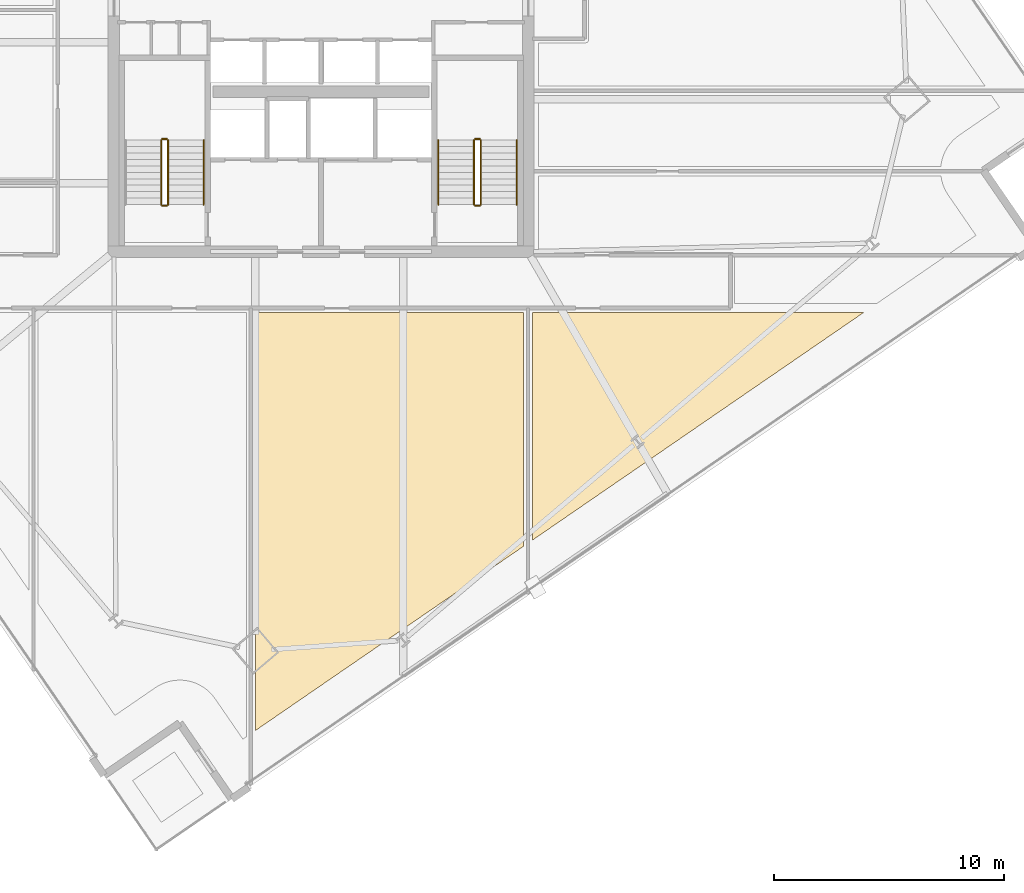
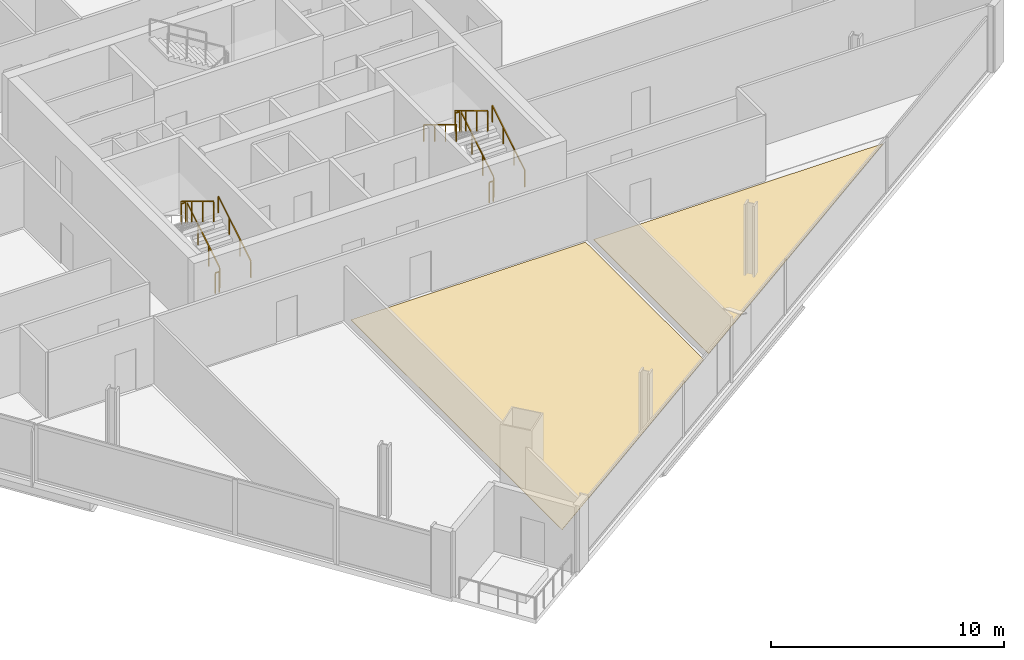
# One storey, part 26 of 29: 11 railings, 2 coverings.
"""IFC4 building model written with IfcOpenShell, lengths in metres."""

import ifcopenshell
import ifcopenshell.guid

model = None  # the IFC model being written
_history = None  # IfcOwnerHistory: only IFC2X3 demands one
_inside = {}  # id of a spatial element -> (the spatial element, [elements in it])
_under = {}  # id of a project, library or spatial element -> (it, [spatial elements below it])
_declared = {}  # id of a project -> (the project, [libraries it declares])
_typed = {}  # id of a type object -> (the type object, [elements of that type])
_made_of = {}  # id of a material, layer set ... -> (it, [elements and type objects made of it])


def new_model(schema):
    """Start an empty IFC model of exactly this schema.

    Asked for "IFC4X3", IfcOpenShell would pick the latest addendum, in which some entities
    have other attributes; the version numbers below select the first issue.
    IFC2X3 requires an IfcOwnerHistory on every rooted entity: one is made here for all.
    """
    global model, _history
    if schema == "IFC4X3":
        model = ifcopenshell.file(schema_version=(4, 3, 0, 0))
    else:
        model = ifcopenshell.file(schema=schema)
    _inside.clear()
    _under.clear()
    _declared.clear()
    _typed.clear()
    _made_of.clear()
    _history = None
    if model.schema == "IFC2X3":
        org = make("IfcOrganization", Name="unknown")
        user = make(
            "IfcPersonAndOrganization",
            ThePerson=make("IfcPerson", FamilyName="unknown"),
            TheOrganization=org,
        )
        app = make(
            "IfcApplication",
            ApplicationDeveloper=org,
            Version="unknown",
            ApplicationFullName="unknown",
            ApplicationIdentifier="unknown",
        )
        _history = make(
            "IfcOwnerHistory",
            OwningUser=user,
            OwningApplication=app,
            ChangeAction="ADDED",
            CreationDate=0,
        )
    return model


def make(cls, **values):
    """One entity of the class cls with the attributes given. An attribute that is None is left unset."""
    return model.create_entity(
        cls, **{name: value for name, value in values.items() if value is not None}
    )


def rooted(cls, **values):
    """An entity with a GlobalId (a new one), such as an element, a storey or a relation."""
    return make(cls, GlobalId=ifcopenshell.guid.new(), OwnerHistory=_history, **values)


def si_unit(unit_type, name, prefix=None):
    """IfcSIUnit, for example si_unit("LENGTHUNIT", "METRE", prefix="MILLI")."""
    return make("IfcSIUnit", UnitType=unit_type, Prefix=prefix, Name=name)


def assignment(units):
    """IfcUnitAssignment: the units of a project."""
    return None if units is None else make("IfcUnitAssignment", Units=units)


def point(xyz):
    """IfcCartesianPoint."""
    return None if xyz is None else make("IfcCartesianPoint", Coordinates=xyz)


def direction(xyz):
    """IfcDirection."""
    return None if xyz is None else make("IfcDirection", DirectionRatios=xyz)


def frame(location, z_axis=None, x_axis=None):
    """IfcAxis2Placement3D, a coordinate frame: its origin and axes. An axis left out is left unset."""
    return make(
        "IfcAxis2Placement3D",
        Location=point(location),
        Axis=direction(z_axis),
        RefDirection=direction(x_axis),
    )


def frame_2d(location, x_axis=None):
    """IfcAxis2Placement2D, a coordinate frame in the plane: its origin and x axis."""
    return make(
        "IfcAxis2Placement2D", Location=point(location), RefDirection=direction(x_axis)
    )


def origin():
    """The frame at (0, 0, 0) with its axes left unset."""
    return frame((0.0, 0.0, 0.0))


def origin_2d():
    """The frame at (0, 0) in the plane with its x axis left unset."""
    return frame_2d((0.0, 0.0))


def place(relative_to, where):
    """IfcLocalPlacement: puts the frame where relative to a parent placement (None: the world)."""
    return make(
        "IfcLocalPlacement", PlacementRelTo=relative_to, RelativePlacement=where
    )


def context(
    kind, dimensions, precision=None, world=None, true_north=None, identifier=None
):
    """IfcGeometricRepresentationContext, for example the 3D "Model" context."""
    return make(
        "IfcGeometricRepresentationContext",
        ContextIdentifier=identifier,
        ContextType=kind,
        CoordinateSpaceDimension=dimensions,
        Precision=precision,
        WorldCoordinateSystem=world,
        TrueNorth=true_north,
    )


def subcontext(parent, identifier, kind, view, scale=None):
    """IfcGeometricRepresentationSubContext, for example "Body" below "Model"."""
    return make(
        "IfcGeometricRepresentationSubContext",
        ContextIdentifier=identifier,
        ContextType=kind,
        ParentContext=parent,
        TargetScale=scale,
        TargetView=view,
    )


def project(units=None, contexts=None):
    """IfcProject with its units and contexts."""
    return rooted(
        "IfcProject",
        Name="project",
        RepresentationContexts=contexts,
        UnitsInContext=assignment(units),
    )


def spatial(cls, under=None, at=None, **own):
    """A site, building, storey or space (cls), placed at a placement, below another one or the project."""
    s = rooted(cls, ObjectPlacement=at, **own)
    if under is not None:
        _under.setdefault(under.id(), (under, []))[1].append(s)
    return s


def polyline(points):
    """IfcPolyline through the points."""
    return make("IfcPolyline", Points=[point(p) for p in points])


def profile(cls, at=None, kind="AREA", **sizes):
    """A parametric profile (cls). Its sizes go by their IFC names, for example OverallWidth=200.0."""
    return make(cls, ProfileType=kind, Position=at, **sizes)


def rectangle(**sizes):
    """IfcRectangleProfileDef."""
    return profile("IfcRectangleProfileDef", **sizes)


def outline(outer, holes=None, kind="AREA"):
    """IfcArbitraryClosedProfileDef: a profile drawn as a closed curve; with holes, ...WithVoids."""
    if holes is None:
        return make("IfcArbitraryClosedProfileDef", ProfileType=kind, OuterCurve=outer)
    return make(
        "IfcArbitraryProfileDefWithVoids",
        ProfileType=kind,
        OuterCurve=outer,
        InnerCurves=holes,
    )


def extrude(swept, where, along, depth):
    """IfcExtrudedAreaSolid: the profile swept, set in the frame where, extruded along a direction by depth."""
    return make(
        "IfcExtrudedAreaSolid",
        SweptArea=swept,
        Position=where,
        ExtrudedDirection=direction(along),
        Depth=depth,
    )


def shape(context_of_items, identifier, shape_type, items):
    """IfcShapeRepresentation: the items that make up one representation, for example the "Body"."""
    return make(
        "IfcShapeRepresentation",
        ContextOfItems=context_of_items,
        RepresentationIdentifier=identifier,
        RepresentationType=shape_type,
        Items=items,
    )


def material(Name=None, Category=None):
    """IfcMaterial."""
    return make("IfcMaterial", Name=Name, Category=Category)


def layer(
    of_material, thickness, ventilated=None, Name=None, Category=None, Priority=None
):
    """IfcMaterialLayer: one layer of a wall or slab, of a material (None: an air gap)."""
    return make(
        "IfcMaterialLayer",
        Material=of_material,
        LayerThickness=thickness,
        IsVentilated=ventilated,
        Name=Name,
        Category=Category,
        Priority=Priority,
    )


def layer_set(layers, Name=None):
    """IfcMaterialLayerSet."""
    return make("IfcMaterialLayerSet", MaterialLayers=layers, LayerSetName=Name)


def made_of(thing, what):
    """Note that an element or type object is made of a material, layer set ...; save() writes the relation."""
    if what is not None:
        _made_of.setdefault(what.id(), (what, []))[1].append(thing)
    return thing


def type_object(cls, material=None, **own):
    """A type object (cls), such as IfcWallType, which elements share."""
    return made_of(rooted(cls, **own), material)


def element(
    cls,
    number,
    at=None,
    inside=None,
    cuts=None,
    type_object=None,
    material=None,
    context=None,
    identifier="Body",
    shape_type=None,
    held_by="IfcProductDefinitionShape",
    body=None,
    shapes=None,
    **own,
):
    """One element of the class cls, such as IfcWall. Its Tag is "e" and its number.

    at: its placement. inside: the storey or other place that contains it. cuts: it is an
    opening in that element (IfcRelVoidsElement). A single representation is given by context,
    identifier, shape_type and body (its items); several are given by shapes. held_by: the class
    of the entity that holds the representations. save() writes the other relations.
    """
    e = rooted(cls, Tag="e%d" % number, ObjectPlacement=at, **own)
    if body is not None:
        shapes = [shape(context, identifier, shape_type, body)]
    if shapes is not None:
        e.Representation = make(held_by, Representations=shapes)
    if inside is not None:
        _inside.setdefault(inside.id(), (inside, []))[1].append(e)
    if cuts is not None:
        rooted(
            "IfcRelVoidsElement", RelatingBuildingElement=cuts, RelatedOpeningElement=e
        )
    if type_object is not None:
        _typed.setdefault(type_object.id(), (type_object, []))[1].append(e)
    return made_of(e, material)


def aggregate(whole, parts):
    """IfcRelAggregates: a whole, such as a stair, and the parts it consists of."""
    return rooted("IfcRelAggregates", RelatingObject=whole, RelatedObjects=parts)


def save(model, path):
    """Write the relations noted so far, then the file.

    IfcRelAggregates (storeys below a building ...), IfcRelContainedInSpatialStructure (elements
    in a storey), IfcRelDefinesByType, IfcRelAssociatesMaterial and IfcRelDeclares: one each for
    every whole, place, type object, material and project.
    """
    for whole, parts in _under.values():
        aggregate(whole, parts)
    for where, things in _inside.values():
        rooted(
            "IfcRelContainedInSpatialStructure",
            RelatedElements=things,
            RelatingStructure=where,
        )
    for kind, things in _typed.values():
        rooted("IfcRelDefinesByType", RelatedObjects=things, RelatingType=kind)
    for what, things in _made_of.values():
        rooted("IfcRelAssociatesMaterial", RelatedObjects=things, RelatingMaterial=what)
    for by, libraries in _declared.values():
        rooted("IfcRelDeclares", RelatingContext=by, RelatedDefinitions=libraries)
    model.write(path)


model = new_model("IFC4")

# Units and contexts
model_context = context("Model", 3, precision=1e-05, world=origin(), true_north=direction((0.0, 1.0)))
body_context = subcontext(model_context, "Body", "Model", "MODEL_VIEW")
ifc_project = project(units=[si_unit("LENGTHUNIT", "METRE"), si_unit("AREAUNIT", "SQUARE_METRE"), si_unit("VOLUMEUNIT", "CUBIC_METRE"), si_unit("PLANEANGLEUNIT", "RADIAN"), si_unit("MASSUNIT", "GRAM", prefix="KILO")], contexts=[model_context])

# Site, building, storey
site_placement = place(None, origin())
site = spatial("IfcSite", under=ifc_project, at=site_placement, CompositionType="ELEMENT")
building_placement = place(site_placement, origin())
building = spatial("IfcBuilding", under=site, at=building_placement, Name="Haldenkirk Collegiate Tower", CompositionType="ELEMENT")
storey_placement = place(building_placement, frame((0.0, 0.0, 144.449951171875)))
storey = spatial("IfcBuildingStorey", under=building, at=storey_placement, Name="L35", CompositionType="ELEMENT", Elevation=144.449951171875)

# Coverings
ifc_material_1 = material(Name="Polished collegiate terrazzo", Category="concrete")
ifc_layer_1 = layer(ifc_material_1, 0.02490234375)
ifc_layer_set_1 = layer_set([ifc_layer_1], Name="Polished collegiate terrazzo")
covering_type_1 = type_object("IfcCoveringType", Name="COV-FLOOR-TERRAZZO", PredefinedType="FLOORING", material=ifc_layer_set_1)
covering_1_placement = place(storey_placement, origin())
element("IfcCovering", 1, at=covering_1_placement, inside=storey, type_object=covering_type_1, Name="L35 academic room finish 04", PredefinedType="FLOORING", context=body_context, shape_type="SweptSolid", body=[
    extrude(outline(polyline([(45.199951171875, 5.47021484375), (45.199951171875, 15.35009765625), (59.574951171875, 15.35009765625), (45.199951171875, 5.47021484375)])), origin(), (0.0, 0.0, 1.0), 0.025146484375),
])
ifc_material_2 = material(Name="Engineered collegiate oak acoustic flooring", Category="wood")
ifc_layer_2 = layer(ifc_material_2, 0.02197265625)
ifc_layer_set_2 = layer_set([ifc_layer_2], Name="Engineered collegiate oak acoustic flooring")
covering_type_2 = type_object("IfcCoveringType", Name="COV-FLOOR-TIMBER", PredefinedType="FLOORING", material=ifc_layer_set_2)
covering_2_placement = place(storey_placement, origin())
element("IfcCovering", 2, at=covering_2_placement, inside=storey, type_object=covering_type_2, Name="L35 academic room finish 03", PredefinedType="FLOORING", context=body_context, shape_type="SweptSolid", body=[
    extrude(outline(polyline([(33.14990234375, -2.811279296875), (33.14990234375, 15.35009765625), (44.800048828125, 15.35009765625), (44.800048828125, 5.1953125), (33.14990234375, -2.811279296875)])), origin(), (0.0, 0.0, 1.0), 0.02197265625),
])

# Railings
ifc_material_3 = material(Name="Painted architectural tubular steel", Category="steel")
railing_type_1 = type_object("IfcRailingType", Name="RLG-STAIR-GUARD-1100", PredefinedType="BALUSTRADE", material=ifc_material_3)
railing_1_placement = place(storey_placement, frame((29.35009765625, 20.050048828125, 0.17041015625)))
element("IfcRailing", 3, at=railing_1_placement, inside=storey, type_object=railing_type_1, Name="L35 ST-1 stair guard 1", PredefinedType="BALUSTRADE", context=body_context, shape_type="SweptSolid", body=[
    extrude(rectangle(XDim=0.048095703125, YDim=0.048095703125, at=origin_2d()), frame((0.0, 0.0, 1.076171875), z_axis=(0.0, 0.854169791009, 0.51999420009), x_axis=(-1.0, 0.0, 0.0)), (0.0, 0.0, 1.0), 3.278076171875),
    extrude(rectangle(XDim=0.0419921875, YDim=0.0419921875, at=origin_2d()), origin(), (0.0, 0.0, 1.0), 1.052001953125),
    extrude(rectangle(XDim=0.0419921875, YDim=0.0419921875, at=origin_2d()), frame((0.0, 0.933349609375, 0.568115234375)), (0.0, 0.0, 1.0), 1.052001953125),
    extrude(rectangle(XDim=0.0419921875, YDim=0.0419921875, at=origin_2d()), frame((0.0, 1.86669921875, 1.136474609375)), (0.0, 0.0, 1.0), 1.052001953125),
    extrude(rectangle(XDim=0.0419921875, YDim=0.0419921875, at=origin_2d()), frame((0.0, 2.800048828125, 1.70458984375)), (0.0, 0.0, 1.0), 1.052001953125),
])
railing_2_placement = place(storey_placement, frame((29.300048828125, 22.89990234375, 1.875)))
element("IfcRailing", 4, at=railing_2_placement, inside=storey, type_object=railing_type_1, Name="L35 ST-1 stair guard 2", PredefinedType="BALUSTRADE", context=body_context, shape_type="SweptSolid", body=[
    extrude(rectangle(XDim=0.048095703125, YDim=0.048095703125, at=origin_2d()), frame((0.0, 0.0, 1.076171875), z_axis=(-1.0, 0.0, 0.0), x_axis=(0.0, -1.0, 0.0)), (0.0, 0.0, 1.0), 0.199951171875),
    extrude(rectangle(XDim=0.0419921875, YDim=0.0419921875, at=origin_2d()), origin(), (0.0, 0.0, 1.0), 1.052001953125),
    extrude(rectangle(XDim=0.0419921875, YDim=0.0419921875, at=origin_2d()), frame((-0.199951171875, 0.0, 0.0)), (0.0, 0.0, 1.0), 1.052001953125),
])
railing_3_placement = place(storey_placement, frame((29.050048828125, 22.85009765625, 2.04541015625)))
element("IfcRailing", 5, at=railing_3_placement, inside=storey, type_object=railing_type_1, Name="L35 ST-1 stair guard 3", PredefinedType="BALUSTRADE", context=body_context, shape_type="SweptSolid", body=[
    extrude(rectangle(XDim=0.048095703125, YDim=0.048095703125, at=origin_2d()), frame((0.0, 0.0, 1.076171875), z_axis=(0.0, -0.854169791009, 0.51999420009), x_axis=(1.0, 0.0, 0.0)), (0.0, 0.0, 1.0), 3.278076171875),
    extrude(rectangle(XDim=0.0419921875, YDim=0.0419921875, at=origin_2d()), origin(), (0.0, 0.0, 1.0), 1.052001953125),
    extrude(rectangle(XDim=0.0419921875, YDim=0.0419921875, at=origin_2d()), frame((0.0, -0.933349609375, 0.568115234375)), (0.0, 0.0, 1.0), 1.052001953125),
    extrude(rectangle(XDim=0.0419921875, YDim=0.0419921875, at=origin_2d()), frame((0.0, -1.86669921875, 1.136474609375)), (0.0, 0.0, 1.0), 1.052001953125),
    extrude(rectangle(XDim=0.0419921875, YDim=0.0419921875, at=origin_2d()), frame((0.0, -2.800048828125, 1.70458984375)), (0.0, 0.0, 1.0), 1.052001953125),
])
railing_4_placement = place(storey_placement, frame((29.300048828125, 20.0, 0.0)))
element("IfcRailing", 6, at=railing_4_placement, inside=storey, type_object=railing_type_1, Name="L35 ST-1 stair guard 4", PredefinedType="BALUSTRADE", context=body_context, shape_type="SweptSolid", body=[
    extrude(rectangle(XDim=0.048095703125, YDim=0.048095703125, at=origin_2d()), frame((0.0, 0.0, 1.076171875), z_axis=(-1.0, 0.0, 0.0), x_axis=(0.0, -1.0, 0.0)), (0.0, 0.0, 1.0), 0.199951171875),
    extrude(rectangle(XDim=0.0419921875, YDim=0.0419921875, at=origin_2d()), origin(), (0.0, 0.0, 1.0), 1.052001953125),
    extrude(rectangle(XDim=0.0419921875, YDim=0.0419921875, at=origin_2d()), frame((-0.199951171875, 0.0, 0.0)), (0.0, 0.0, 1.0), 1.052001953125),
])
railing_5_placement = place(storey_placement, frame((42.949951171875, 20.050048828125, 0.17041015625)))
element("IfcRailing", 7, at=railing_5_placement, inside=storey, type_object=railing_type_1, Name="L35 ST-2 stair guard 1", PredefinedType="BALUSTRADE", context=body_context, shape_type="SweptSolid", body=[
    extrude(rectangle(XDim=0.048095703125, YDim=0.048095703125, at=origin_2d()), frame((0.0, 0.0, 1.076171875), z_axis=(0.0, 0.854169791009, 0.51999420009), x_axis=(-1.0, 0.0, 0.0)), (0.0, 0.0, 1.0), 3.278076171875),
    extrude(rectangle(XDim=0.0419921875, YDim=0.0419921875, at=origin_2d()), origin(), (0.0, 0.0, 1.0), 1.052001953125),
    extrude(rectangle(XDim=0.0419921875, YDim=0.0419921875, at=origin_2d()), frame((0.0, 0.933349609375, 0.568115234375)), (0.0, 0.0, 1.0), 1.052001953125),
    extrude(rectangle(XDim=0.0419921875, YDim=0.0419921875, at=origin_2d()), frame((0.0, 1.86669921875, 1.136474609375)), (0.0, 0.0, 1.0), 1.052001953125),
    extrude(rectangle(XDim=0.0419921875, YDim=0.0419921875, at=origin_2d()), frame((0.0, 2.800048828125, 1.70458984375)), (0.0, 0.0, 1.0), 1.052001953125),
])
railing_6_placement = place(storey_placement, frame((42.89990234375, 22.89990234375, 1.875)))
element("IfcRailing", 8, at=railing_6_placement, inside=storey, type_object=railing_type_1, Name="L35 ST-2 stair guard 2", PredefinedType="BALUSTRADE", context=body_context, shape_type="SweptSolid", body=[
    extrude(rectangle(XDim=0.048095703125, YDim=0.048095703125, at=origin_2d()), frame((0.0, 0.0, 1.076171875), z_axis=(-1.0, 0.0, 0.0), x_axis=(0.0, -1.0, 0.0)), (0.0, 0.0, 1.0), 0.199951171875),
    extrude(rectangle(XDim=0.0419921875, YDim=0.0419921875, at=origin_2d()), origin(), (0.0, 0.0, 1.0), 1.052001953125),
    extrude(rectangle(XDim=0.0419921875, YDim=0.0419921875, at=origin_2d()), frame((-0.199951171875, 0.0, 0.0)), (0.0, 0.0, 1.0), 1.052001953125),
])
railing_7_placement = place(storey_placement, frame((42.64990234375, 22.85009765625, 2.04541015625)))
element("IfcRailing", 9, at=railing_7_placement, inside=storey, type_object=railing_type_1, Name="L35 ST-2 stair guard 3", PredefinedType="BALUSTRADE", context=body_context, shape_type="SweptSolid", body=[
    extrude(rectangle(XDim=0.048095703125, YDim=0.048095703125, at=origin_2d()), frame((0.0, 0.0, 1.076171875), z_axis=(0.0, -0.854169791009, 0.51999420009), x_axis=(1.0, 0.0, 0.0)), (0.0, 0.0, 1.0), 3.278076171875),
    extrude(rectangle(XDim=0.0419921875, YDim=0.0419921875, at=origin_2d()), origin(), (0.0, 0.0, 1.0), 1.052001953125),
    extrude(rectangle(XDim=0.0419921875, YDim=0.0419921875, at=origin_2d()), frame((0.0, -0.933349609375, 0.568115234375)), (0.0, 0.0, 1.0), 1.052001953125),
    extrude(rectangle(XDim=0.0419921875, YDim=0.0419921875, at=origin_2d()), frame((0.0, -1.86669921875, 1.136474609375)), (0.0, 0.0, 1.0), 1.052001953125),
    extrude(rectangle(XDim=0.0419921875, YDim=0.0419921875, at=origin_2d()), frame((0.0, -2.800048828125, 1.70458984375)), (0.0, 0.0, 1.0), 1.052001953125),
])
railing_8_placement = place(storey_placement, frame((42.89990234375, 20.0, 0.0)))
element("IfcRailing", 10, at=railing_8_placement, inside=storey, type_object=railing_type_1, Name="L35 ST-2 stair guard 4", PredefinedType="BALUSTRADE", context=body_context, shape_type="SweptSolid", body=[
    extrude(rectangle(XDim=0.048095703125, YDim=0.048095703125, at=origin_2d()), frame((0.0, 0.0, 1.076171875), z_axis=(-1.0, 0.0, 0.0), x_axis=(0.0, -1.0, 0.0)), (0.0, 0.0, 1.0), 0.199951171875),
    extrude(rectangle(XDim=0.0419921875, YDim=0.0419921875, at=origin_2d()), origin(), (0.0, 0.0, 1.0), 1.052001953125),
    extrude(rectangle(XDim=0.0419921875, YDim=0.0419921875, at=origin_2d()), frame((-0.199951171875, 0.0, 0.0)), (0.0, 0.0, 1.0), 1.052001953125),
])
railing_type_2 = type_object("IfcRailingType", Name="RLG-STAIR-HANDRAIL-900", PredefinedType="HANDRAIL", material=ifc_material_3)
for number, where, name in (
    (11, (30.89990234375, 20.050048828125, 0.17041015625), "L35 ST-1 stair handrail 1"),
    (12, (44.5, 20.050048828125, 0.17041015625), "L35 ST-2 stair handrail 1"),
):
    element("IfcRailing", number, at=place(storey_placement, frame(where)), inside=storey, type_object=railing_type_2, Name=name, PredefinedType="HANDRAIL", context=body_context, shape_type="SweptSolid", body=[
        extrude(rectangle(XDim=0.048095703125, YDim=0.048095703125, at=origin_2d()), frame((0.0, 0.0, 0.8759765625), z_axis=(0.0, 0.854169791009, 0.51999420009), x_axis=(-1.0, 0.0, 0.0)), (0.0, 0.0, 1.0), 3.278076171875),
        extrude(rectangle(XDim=0.0419921875, YDim=0.0419921875, at=origin_2d()), origin(), (0.0, 0.0, 1.0), 0.851806640625),
        extrude(rectangle(XDim=0.0419921875, YDim=0.0419921875, at=origin_2d()), frame((0.0, 0.933349609375, 0.568115234375)), (0.0, 0.0, 1.0), 0.851806640625),
        extrude(rectangle(XDim=0.0419921875, YDim=0.0419921875, at=origin_2d()), frame((0.0, 1.86669921875, 1.136474609375)), (0.0, 0.0, 1.0), 0.851806640625),
        extrude(rectangle(XDim=0.0419921875, YDim=0.0419921875, at=origin_2d()), frame((0.0, 2.800048828125, 1.70458984375)), (0.0, 0.0, 1.0), 0.851806640625),
    ])
railing_9_placement = place(storey_placement, frame((41.10009765625, 22.85009765625, 2.04541015625)))
element("IfcRailing", 13, at=railing_9_placement, inside=storey, type_object=railing_type_2, Name="L35 ST-2 stair handrail 2", PredefinedType="HANDRAIL", context=body_context, shape_type="SweptSolid", body=[
    extrude(rectangle(XDim=0.048095703125, YDim=0.048095703125, at=origin_2d()), frame((0.0, 0.0, 0.8759765625), z_axis=(0.0, -0.854169791009, 0.51999420009), x_axis=(1.0, 0.0, 0.0)), (0.0, 0.0, 1.0), 3.278076171875),
    extrude(rectangle(XDim=0.0419921875, YDim=0.0419921875, at=origin_2d()), origin(), (0.0, 0.0, 1.0), 0.851806640625),
    extrude(rectangle(XDim=0.0419921875, YDim=0.0419921875, at=origin_2d()), frame((0.0, -0.933349609375, 0.568115234375)), (0.0, 0.0, 1.0), 0.851806640625),
    extrude(rectangle(XDim=0.0419921875, YDim=0.0419921875, at=origin_2d()), frame((0.0, -1.86669921875, 1.136474609375)), (0.0, 0.0, 1.0), 0.851806640625),
    extrude(rectangle(XDim=0.0419921875, YDim=0.0419921875, at=origin_2d()), frame((0.0, -2.800048828125, 1.70458984375)), (0.0, 0.0, 1.0), 0.851806640625),
])

save(model, "model.ifc")
